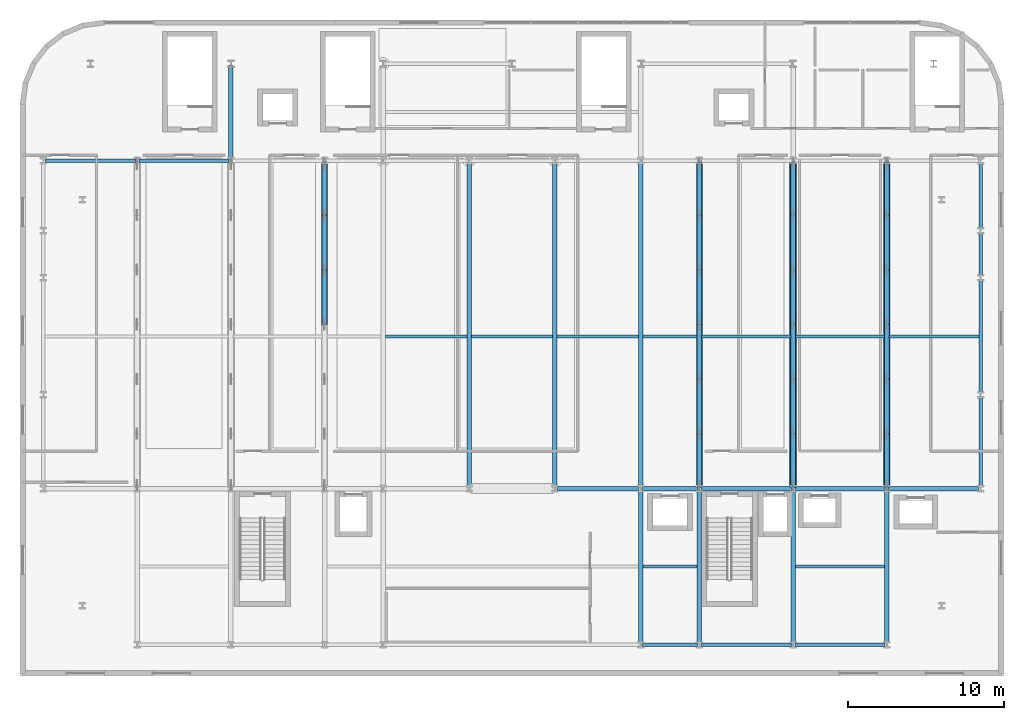
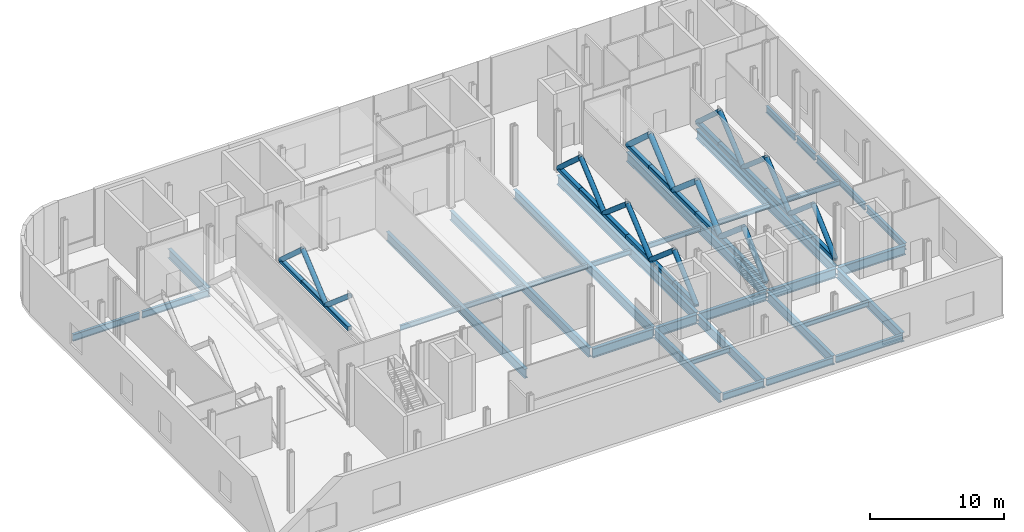
# One storey, part 2 of 17: 42 members, 34 beams.
"""IFC4 building model written with IfcOpenShell, lengths in metres."""

from ifc_helpers import new_model, si_unit, direction, frame, origin, origin_2d, place, context, subcontext, project, spatial, hollow_rectangle, hollow_circle, i_section, extrude, material, material_profile, profile_set, type_object, element, save


model = new_model("IFC4")

# Units and contexts
model_context = context("Model", 3, precision=1e-05, world=origin(), true_north=direction((0.0, 1.0)))
body_context = subcontext(model_context, "Body", "Model", "MODEL_VIEW")
ifc_project = project(units=[si_unit("LENGTHUNIT", "METRE"), si_unit("AREAUNIT", "SQUARE_METRE"), si_unit("VOLUMEUNIT", "CUBIC_METRE"), si_unit("PLANEANGLEUNIT", "RADIAN"), si_unit("MASSUNIT", "GRAM", prefix="KILO")], contexts=[model_context])

# Site, building, storey
site_placement = place(None, origin())
site = spatial("IfcSite", under=ifc_project, at=site_placement, CompositionType="ELEMENT")
building_placement = place(site_placement, origin())
building = spatial("IfcBuilding", under=site, at=building_placement, Name="Brevholm Reach", CompositionType="ELEMENT")
storey_placement = place(building_placement, frame((0.0, 0.0, 22.5)))
storey = spatial("IfcBuildingStorey", under=building, at=storey_placement, Name="L05", CompositionType="ELEMENT", Elevation=22.5)

# Beams
ifc_material_1 = material(Name="Structural Steel S355J2", Category="steel")
ifc_material_profile_1 = material_profile(ifc_material_1, i_section(OverallWidth=0.1904296875, OverallDepth=0.45703125, WebThickness=0.009033203125, FlangeThickness=0.014404296875, FilletRadius=0.01025390625, at=origin_2d()), Name="UKB 457x191x74")
ifc_profile_set_1 = profile_set([ifc_material_profile_1], Name="Structural Steel S355J2")
beam_type_1 = type_object("IfcBeamType", Name="BM-B457", PredefinedType="BEAM", material=ifc_profile_set_1)
beam_1_placement = place(storey_placement, frame((38.39697265625, 5.0, -0.508544921875), z_axis=(1.0, 0.0, 0.0), x_axis=(0.0, 1.0, 0.0)))
element("IfcBeam", 1, at=beam_1_placement, inside=storey, type_object=beam_type_1, Name="L05 Composite Secondary Floor Beam", PredefinedType="BEAM", context=body_context, shape_type="SweptSolid", body=[
    extrude(i_section(OverallWidth=0.1904296875, OverallDepth=0.45703125, WebThickness=0.009033203125, FlangeThickness=0.014404296875, FilletRadius=0.01025390625, at=origin_2d()), origin(), (0.0, 0.0, 1.0), 3.4560546875),
])
beam_2_placement = place(storey_placement, frame((48.14697265625, 5.0, -0.508544921875), z_axis=(1.0, 0.0, 0.0), x_axis=(0.0, 1.0, 0.0)))
element("IfcBeam", 2, at=beam_2_placement, inside=storey, type_object=beam_type_1, Name="L05 Composite Secondary Floor Beam", PredefinedType="BEAM", context=body_context, shape_type="SweptSolid", body=[
    extrude(i_section(OverallWidth=0.1904296875, OverallDepth=0.45703125, WebThickness=0.009033203125, FlangeThickness=0.014404296875, FilletRadius=0.01025390625, at=origin_2d()), origin(), (0.0, 0.0, 1.0), 5.7060546875),
])
for number, where, z_axis, x_axis, name in (
    (3, (21.89697265625, 19.75, -0.508544921875), (1.0, 0.0, 0.0), (0.0, 1.0, 0.0), "L05 Composite Secondary Floor Beam"),
    (4, (27.39697265625, 19.75, -0.508544921875), (1.0, 0.0, 0.0), (0.0, 1.0, 0.0), "L05 Composite Secondary Floor Beam"),
    (5, (32.89697265625, 19.75, -0.508544921875), (1.0, 0.0, 0.0), (0.0, 1.0, 0.0), "L05 Composite Secondary Floor Beam"),
):
    element("IfcBeam", number, at=place(storey_placement, frame(where, z_axis=z_axis, x_axis=x_axis)), inside=storey, type_object=beam_type_1, Name=name, PredefinedType="BEAM", context=body_context, shape_type="SweptSolid", body=[
        extrude(i_section(OverallWidth=0.1904296875, OverallDepth=0.45703125, WebThickness=0.009033203125, FlangeThickness=0.014404296875, FilletRadius=0.01025390625, at=origin_2d()), origin(), (0.0, 0.0, 1.0), 5.2060546875),
    ])
beam_3_placement = place(storey_placement, frame((38.39697265625, 19.75, -0.508544921875), z_axis=(1.0, 0.0, 0.0), x_axis=(0.0, 1.0, 0.0)))
element("IfcBeam", 6, at=beam_3_placement, inside=storey, type_object=beam_type_1, Name="L05 Composite Secondary Floor Beam", PredefinedType="BEAM", context=body_context, shape_type="SweptSolid", body=[
    extrude(i_section(OverallWidth=0.1904296875, OverallDepth=0.45703125, WebThickness=0.009033203125, FlangeThickness=0.014404296875, FilletRadius=0.01025390625, at=origin_2d()), origin(), (0.0, 0.0, 1.0), 3.4560546875),
])
for number, where, z_axis, x_axis, name in (
    (7, (42.14697265625, 19.75, -0.508544921875), (1.0, 0.0, 0.0), (0.0, 1.0, 0.0), "L05 Composite Secondary Floor Beam"),
    (8, (48.14697265625, 19.75, -0.508544921875), (1.0, 0.0, 0.0), (0.0, 1.0, 0.0), "L05 Composite Secondary Floor Beam"),
):
    element("IfcBeam", number, at=place(storey_placement, frame(where, z_axis=z_axis, x_axis=x_axis)), inside=storey, type_object=beam_type_1, Name=name, PredefinedType="BEAM", context=body_context, shape_type="SweptSolid", body=[
        extrude(i_section(OverallWidth=0.1904296875, OverallDepth=0.45703125, WebThickness=0.009033203125, FlangeThickness=0.014404296875, FilletRadius=0.01025390625, at=origin_2d()), origin(), (0.0, 0.0, 1.0), 5.7060546875),
    ])
beam_4_placement = place(storey_placement, frame((54.14697265625, 19.75, -0.508544921875), z_axis=(1.0, 0.0, 0.0), x_axis=(0.0, 1.0, 0.0)))
element("IfcBeam", 9, at=beam_4_placement, inside=storey, type_object=beam_type_1, Name="L05 Composite Secondary Floor Beam", PredefinedType="BEAM", context=body_context, shape_type="SweptSolid", body=[
    extrude(i_section(OverallWidth=0.1904296875, OverallDepth=0.45703125, WebThickness=0.009033203125, FlangeThickness=0.014404296875, FilletRadius=0.01025390625, at=origin_2d()), origin(), (0.0, 0.0, 1.0), 5.738525390625),
])
ifc_material_2 = material(Name="Structural Steel S355J2", Category="steel")
ifc_material_profile_2 = material_profile(ifc_material_2, i_section(OverallWidth=0.22900390625, OverallDepth=0.6123046875, WebThickness=0.011962890625, FlangeThickness=0.01953125, FilletRadius=0.0126953125, at=origin_2d()), Name="UKB 610x229x125")
ifc_profile_set_2 = profile_set([ifc_material_profile_2], Name="Structural Steel S355J2")
beam_type_2 = type_object("IfcBeamType", Name="BM-SP610", PredefinedType="SPANDREL", material=ifc_profile_set_2)
beam_5_placement = place(storey_placement, frame((38.3701171875, 0.0, -0.586181640625), z_axis=(1.0, 0.0, 0.0), x_axis=(0.0, 1.0, 0.0)))
element("IfcBeam", 10, at=beam_5_placement, inside=storey, type_object=beam_type_2, Name="L05 SP-01 Framing Beam", PredefinedType="SPANDREL", context=body_context, shape_type="SweptSolid", body=[
    extrude(i_section(OverallWidth=0.22900390625, OverallDepth=0.6123046875, WebThickness=0.011962890625, FlangeThickness=0.01953125, FilletRadius=0.0126953125, at=origin_2d()), origin(), (0.0, 0.0, 1.0), 3.509765625),
])
for number, where, z_axis, x_axis, name in (
    (11, (42.1201171875, 0.0, -0.586181640625), (1.0, 0.0, 0.0), (0.0, 1.0, 0.0), "L05 SP-01 Framing Beam"),
    (12, (48.1201171875, 0.0, -0.586181640625), (1.0, 0.0, 0.0), (0.0, 1.0, 0.0), "L05 SP-01 Framing Beam"),
    (13, (0.1201171875, 31.0, -0.586181640625), (1.0, 0.0, 0.0), (0.0, 1.0, 0.0), "L05 SP-01 Framing Beam"),
    (14, (6.1201171875, 31.0, -0.586181640625), (1.0, 0.0, 0.0), (0.0, 1.0, 0.0), "L05 SP-01 Framing Beam"),
    (15, (60.0, 10.1201171875, -0.586181640625), (0.0, 1.0, 0.0), (-1.0, 0.0, 0.0), "L05 SP-01 Framing Beam"),
):
    element("IfcBeam", number, at=place(storey_placement, frame(where, z_axis=z_axis, x_axis=x_axis)), inside=storey, type_object=beam_type_2, Name=name, PredefinedType="SPANDREL", context=body_context, shape_type="SweptSolid", body=[
        extrude(i_section(OverallWidth=0.22900390625, OverallDepth=0.6123046875, WebThickness=0.011962890625, FlangeThickness=0.01953125, FilletRadius=0.0126953125, at=origin_2d()), origin(), (0.0, 0.0, 1.0), 5.759765625),
    ])
beam_6_placement = place(storey_placement, frame((60.0, 16.1201171875, -0.586181640625), z_axis=(0.0, 1.0, 0.0), x_axis=(-1.0, 0.0, 0.0)))
element("IfcBeam", 16, at=beam_6_placement, inside=storey, type_object=beam_type_2, Name="L05 SP-01 Framing Beam", PredefinedType="SPANDREL", context=body_context, shape_type="SweptSolid", body=[
    extrude(i_section(OverallWidth=0.22900390625, OverallDepth=0.6123046875, WebThickness=0.011962890625, FlangeThickness=0.01953125, FilletRadius=0.0126953125, at=origin_2d()), origin(), (0.0, 0.0, 1.0), 7.259765625),
])
beam_7_placement = place(storey_placement, frame((60.0, 23.6201171875, -0.586181640625), z_axis=(0.0, 1.0, 0.0), x_axis=(-1.0, 0.0, 0.0)))
element("IfcBeam", 17, at=beam_7_placement, inside=storey, type_object=beam_type_2, Name="L05 SP-01 Framing Beam", PredefinedType="SPANDREL", context=body_context, shape_type="SweptSolid", body=[
    extrude(i_section(OverallWidth=0.22900390625, OverallDepth=0.6123046875, WebThickness=0.011962890625, FlangeThickness=0.01953125, FilletRadius=0.0126953125, at=origin_2d()), origin(), (0.0, 0.0, 1.0), 2.759765625),
])
beam_8_placement = place(storey_placement, frame((60.0, 26.6201171875, -0.586181640625), z_axis=(0.0, 1.0, 0.0), x_axis=(-1.0, 0.0, 0.0)))
element("IfcBeam", 18, at=beam_8_placement, inside=storey, type_object=beam_type_2, Name="L05 SP-01 Framing Beam", PredefinedType="SPANDREL", context=body_context, shape_type="SweptSolid", body=[
    extrude(i_section(OverallWidth=0.22900390625, OverallDepth=0.6123046875, WebThickness=0.011962890625, FlangeThickness=0.01953125, FilletRadius=0.0126953125, at=origin_2d()), origin(), (0.0, 0.0, 1.0), 4.259765625),
])
ifc_material_3 = material(Name="Structural Steel S355J2", Category="steel")
ifc_material_profile_3 = material_profile(ifc_material_3, i_section(OverallWidth=0.293701171875, OverallDepth=0.850830078125, WebThickness=0.01611328125, FlangeThickness=0.02685546875, FilletRadius=0.017822265625, at=origin_2d()), Name="UKB 838x292x226")
ifc_profile_set_3 = profile_set([ifc_material_profile_3], Name="Structural Steel S355J2")
beam_type_3 = type_object("IfcBeamType", Name="BM-UKB838", PredefinedType="USERDEFINED", material=ifc_profile_set_3)
beam_9_placement = place(storey_placement, frame((32.8701171875, 10.0, -0.70556640625), z_axis=(1.0, 0.0, 0.0), x_axis=(0.0, 1.0, 0.0)))
element("IfcBeam", 19, at=beam_9_placement, inside=storey, type_object=beam_type_3, Name="L05 G-03 Framing Beam", ObjectType="GIRDER", PredefinedType="USERDEFINED", context=body_context, shape_type="SweptSolid", body=[
    extrude(i_section(OverallWidth=0.293701171875, OverallDepth=0.850830078125, WebThickness=0.01611328125, FlangeThickness=0.02685546875, FilletRadius=0.017822265625, at=origin_2d()), origin(), (0.0, 0.0, 1.0), 5.259765625),
])
beam_10_placement = place(storey_placement, frame((38.3701171875, 10.0, -0.70556640625), z_axis=(1.0, 0.0, 0.0), x_axis=(0.0, 1.0, 0.0)))
element("IfcBeam", 20, at=beam_10_placement, inside=storey, type_object=beam_type_3, Name="L05 G-03 Framing Beam", ObjectType="GIRDER", PredefinedType="USERDEFINED", context=body_context, shape_type="SweptSolid", body=[
    extrude(i_section(OverallWidth=0.293701171875, OverallDepth=0.850830078125, WebThickness=0.01611328125, FlangeThickness=0.02685546875, FilletRadius=0.017822265625, at=origin_2d()), origin(), (0.0, 0.0, 1.0), 3.509765625),
])
for number, where, z_axis, x_axis, name in (
    (21, (42.1201171875, 10.0, -0.70556640625), (1.0, 0.0, 0.0), (0.0, 1.0, 0.0), "L05 G-03 Framing Beam"),
    (22, (48.1201171875, 10.0, -0.70556640625), (1.0, 0.0, 0.0), (0.0, 1.0, 0.0), "L05 G-03 Framing Beam"),
    (23, (54.1201171875, 10.0, -0.70556640625), (1.0, 0.0, 0.0), (0.0, 1.0, 0.0), "L05 G-03 Framing Beam"),
):
    element("IfcBeam", number, at=place(storey_placement, frame(where, z_axis=z_axis, x_axis=x_axis)), inside=storey, type_object=beam_type_3, Name=name, ObjectType="GIRDER", PredefinedType="USERDEFINED", context=body_context, shape_type="SweptSolid", body=[
        extrude(i_section(OverallWidth=0.293701171875, OverallDepth=0.850830078125, WebThickness=0.01611328125, FlangeThickness=0.02685546875, FilletRadius=0.017822265625, at=origin_2d()), origin(), (0.0, 0.0, 1.0), 5.759765625),
    ])
beam_11_placement = place(storey_placement, frame((12.0, 31.1201171875, -0.70556640625), z_axis=(0.0, 1.0, 0.0), x_axis=(-1.0, 0.0, 0.0)))
element("IfcBeam", 24, at=beam_11_placement, inside=storey, type_object=beam_type_3, Name="L05 G-03 Framing Beam", ObjectType="GIRDER", PredefinedType="USERDEFINED", context=body_context, shape_type="SweptSolid", body=[
    extrude(i_section(OverallWidth=0.293701171875, OverallDepth=0.850830078125, WebThickness=0.01611328125, FlangeThickness=0.02685546875, FilletRadius=0.017822265625, at=origin_2d()), origin(), (0.0, 0.0, 1.0), 5.9599609375),
])
for number, where, z_axis, x_axis, name in (
    (25, (27.25, 10.1201171875, -0.70556640625), (0.0, 1.0, 0.0), (-1.0, 0.0, 0.0), "L05 G-03 Framing Beam"),
    (26, (32.75, 10.1201171875, -0.70556640625), (0.0, 1.0, 0.0), (-1.0, 0.0, 0.0), "L05 G-03 Framing Beam"),
):
    element("IfcBeam", number, at=place(storey_placement, frame(where, z_axis=z_axis, x_axis=x_axis)), inside=storey, type_object=beam_type_3, Name=name, ObjectType="GIRDER", PredefinedType="USERDEFINED", context=body_context, shape_type="SweptSolid", body=[
        extrude(i_section(OverallWidth=0.293701171875, OverallDepth=0.850830078125, WebThickness=0.01611328125, FlangeThickness=0.02685546875, FilletRadius=0.017822265625, at=origin_2d()), origin(), (0.0, 0.0, 1.0), 20.759765625),
    ])
beam_12_placement = place(storey_placement, frame((38.25, 0.1201171875, -0.70556640625), z_axis=(0.0, 1.0, 0.0), x_axis=(-1.0, 0.0, 0.0)))
element("IfcBeam", 27, at=beam_12_placement, inside=storey, type_object=beam_type_3, Name="L05 G-03 Framing Beam", ObjectType="GIRDER", PredefinedType="USERDEFINED", context=body_context, shape_type="SweptSolid", body=[
    extrude(i_section(OverallWidth=0.293701171875, OverallDepth=0.850830078125, WebThickness=0.01611328125, FlangeThickness=0.02685546875, FilletRadius=0.017822265625, at=origin_2d()), origin(), (0.0, 0.0, 1.0), 9.759765625),
])
beam_13_placement = place(storey_placement, frame((38.25, 10.1201171875, -0.70556640625), z_axis=(0.0, 1.0, 0.0), x_axis=(-1.0, 0.0, 0.0)))
element("IfcBeam", 28, at=beam_13_placement, inside=storey, type_object=beam_type_3, Name="L05 G-03 Framing Beam", ObjectType="GIRDER", PredefinedType="USERDEFINED", context=body_context, shape_type="SweptSolid", body=[
    extrude(i_section(OverallWidth=0.293701171875, OverallDepth=0.850830078125, WebThickness=0.01611328125, FlangeThickness=0.02685546875, FilletRadius=0.017822265625, at=origin_2d()), origin(), (0.0, 0.0, 1.0), 20.759765625),
])
beam_14_placement = place(storey_placement, frame((42.0, 0.1201171875, -0.70556640625), z_axis=(0.0, 1.0, 0.0), x_axis=(-1.0, 0.0, 0.0)))
element("IfcBeam", 29, at=beam_14_placement, inside=storey, type_object=beam_type_3, Name="L05 G-03 Framing Beam", ObjectType="GIRDER", PredefinedType="USERDEFINED", context=body_context, shape_type="SweptSolid", body=[
    extrude(i_section(OverallWidth=0.293701171875, OverallDepth=0.850830078125, WebThickness=0.01611328125, FlangeThickness=0.02685546875, FilletRadius=0.017822265625, at=origin_2d()), origin(), (0.0, 0.0, 1.0), 9.759765625),
])
beam_15_placement = place(storey_placement, frame((42.0, 10.1201171875, -0.70556640625), z_axis=(0.0, 1.0, 0.0), x_axis=(-1.0, 0.0, 0.0)))
element("IfcBeam", 30, at=beam_15_placement, inside=storey, type_object=beam_type_3, Name="L05 G-03 Framing Beam", ObjectType="GIRDER", PredefinedType="USERDEFINED", context=body_context, shape_type="SweptSolid", body=[
    extrude(i_section(OverallWidth=0.293701171875, OverallDepth=0.850830078125, WebThickness=0.01611328125, FlangeThickness=0.02685546875, FilletRadius=0.017822265625, at=origin_2d()), origin(), (0.0, 0.0, 1.0), 20.759765625),
])
beam_16_placement = place(storey_placement, frame((48.0, 0.1201171875, -0.70556640625), z_axis=(0.0, 1.0, 0.0), x_axis=(-1.0, 0.0, 0.0)))
element("IfcBeam", 31, at=beam_16_placement, inside=storey, type_object=beam_type_3, Name="L05 G-03 Framing Beam", ObjectType="GIRDER", PredefinedType="USERDEFINED", context=body_context, shape_type="SweptSolid", body=[
    extrude(i_section(OverallWidth=0.293701171875, OverallDepth=0.850830078125, WebThickness=0.01611328125, FlangeThickness=0.02685546875, FilletRadius=0.017822265625, at=origin_2d()), origin(), (0.0, 0.0, 1.0), 9.759765625),
])
beam_17_placement = place(storey_placement, frame((48.0, 10.1201171875, -0.70556640625), z_axis=(0.0, 1.0, 0.0), x_axis=(-1.0, 0.0, 0.0)))
element("IfcBeam", 32, at=beam_17_placement, inside=storey, type_object=beam_type_3, Name="L05 G-03 Framing Beam", ObjectType="GIRDER", PredefinedType="USERDEFINED", context=body_context, shape_type="SweptSolid", body=[
    extrude(i_section(OverallWidth=0.293701171875, OverallDepth=0.850830078125, WebThickness=0.01611328125, FlangeThickness=0.02685546875, FilletRadius=0.017822265625, at=origin_2d()), origin(), (0.0, 0.0, 1.0), 20.759765625),
])
beam_18_placement = place(storey_placement, frame((54.0, 0.1201171875, -0.70556640625), z_axis=(0.0, 1.0, 0.0), x_axis=(-1.0, 0.0, 0.0)))
element("IfcBeam", 33, at=beam_18_placement, inside=storey, type_object=beam_type_3, Name="L05 G-03 Framing Beam", ObjectType="GIRDER", PredefinedType="USERDEFINED", context=body_context, shape_type="SweptSolid", body=[
    extrude(i_section(OverallWidth=0.293701171875, OverallDepth=0.850830078125, WebThickness=0.01611328125, FlangeThickness=0.02685546875, FilletRadius=0.017822265625, at=origin_2d()), origin(), (0.0, 0.0, 1.0), 9.759765625),
])
beam_19_placement = place(storey_placement, frame((54.0, 10.1201171875, -0.70556640625), z_axis=(0.0, 1.0, 0.0), x_axis=(-1.0, 0.0, 0.0)))
element("IfcBeam", 34, at=beam_19_placement, inside=storey, type_object=beam_type_3, Name="L05 G-03 Framing Beam", ObjectType="GIRDER", PredefinedType="USERDEFINED", context=body_context, shape_type="SweptSolid", body=[
    extrude(i_section(OverallWidth=0.293701171875, OverallDepth=0.850830078125, WebThickness=0.01611328125, FlangeThickness=0.02685546875, FilletRadius=0.017822265625, at=origin_2d()), origin(), (0.0, 0.0, 1.0), 20.759765625),
])

# Members
ifc_material_4 = material(Name="Structural Steel S460NH", Category="steel")
ifc_material_profile_4 = material_profile(ifc_material_4, hollow_circle(Radius=0.203125, WallThickness=0.01611328125, at=origin_2d()), Name="CHS 406.4x16")
ifc_profile_set_4 = profile_set([ifc_material_profile_4], Name="Structural Steel S460NH")
member_type_1 = type_object("IfcMemberType", Name="MEM-TB-CHS406", PredefinedType="BRACE", material=ifc_profile_set_4)
for number, where, z_axis, x_axis, name in (
    (35, (18.0, 20.5, 3.340087890625), (0.0, 0.760330022916, -0.649536955263), (-1.0, 0.0, 0.0), "L05 Transfer Truss Diagonal X18.4"),
    (36, (18.0, 24.0, 0.35009765625), (0.0, 0.760330022916, 0.649536955263), (-1.0, 0.0, 0.0), "L05 Transfer Truss Diagonal X18.5"),
):
    element("IfcMember", number, at=place(storey_placement, frame(where, z_axis=z_axis, x_axis=x_axis)), inside=storey, type_object=member_type_1, Name=name, PredefinedType="BRACE", context=body_context, shape_type="SweptSolid", body=[
        extrude(hollow_circle(Radius=0.203125, WallThickness=0.01611328125, at=origin_2d()), origin(), (0.0, 0.0, 1.0), 4.603271484375),
    ])
for number, where, z_axis, x_axis, name in (
    (37, (18.0, 27.5, 3.340087890625), (0.0, 0.74307946371, -0.669203190827), (-1.0, 0.0, 0.0), "L05 Transfer Truss Diagonal X18.6"),
    (38, (42.0, 10.179931640625, 0.35009765625), (0.0, 0.74307946371, 0.669203190827), (-1.0, 0.0, 0.0), "L05 Transfer Truss Diagonal X42.1"),
):
    element("IfcMember", number, at=place(storey_placement, frame(where, z_axis=z_axis, x_axis=x_axis)), inside=storey, type_object=member_type_1, Name=name, PredefinedType="BRACE", context=body_context, shape_type="SweptSolid", body=[
        extrude(hollow_circle(Radius=0.203125, WallThickness=0.01611328125, at=origin_2d()), origin(), (0.0, 0.0, 1.0), 4.468017578125),
    ])
for number, where, z_axis, x_axis, name in (
    (39, (42.0, 13.5, 3.340087890625), (0.0, 0.760330022916, -0.649536955263), (-1.0, 0.0, 0.0), "L05 Transfer Truss Diagonal X42.2"),
    (40, (42.0, 17.0, 0.35009765625), (0.0, 0.760330022916, 0.649536955263), (-1.0, 0.0, 0.0), "L05 Transfer Truss Diagonal X42.3"),
    (41, (42.0, 20.5, 3.340087890625), (0.0, 0.760330022916, -0.649536955263), (-1.0, 0.0, 0.0), "L05 Transfer Truss Diagonal X42.4"),
    (42, (42.0, 24.0, 0.35009765625), (0.0, 0.760330022916, 0.649536955263), (-1.0, 0.0, 0.0), "L05 Transfer Truss Diagonal X42.5"),
):
    element("IfcMember", number, at=place(storey_placement, frame(where, z_axis=z_axis, x_axis=x_axis)), inside=storey, type_object=member_type_1, Name=name, PredefinedType="BRACE", context=body_context, shape_type="SweptSolid", body=[
        extrude(hollow_circle(Radius=0.203125, WallThickness=0.01611328125, at=origin_2d()), origin(), (0.0, 0.0, 1.0), 4.603271484375),
    ])
for number, where, z_axis, x_axis, name in (
    (43, (42.0, 27.5, 3.340087890625), (0.0, 0.74307946371, -0.669203190827), (-1.0, 0.0, 0.0), "L05 Transfer Truss Diagonal X42.6"),
    (44, (54.0, 10.179931640625, 0.35009765625), (0.0, 0.74307946371, 0.669203190827), (-1.0, 0.0, 0.0), "L05 Transfer Truss Diagonal X54.1"),
):
    element("IfcMember", number, at=place(storey_placement, frame(where, z_axis=z_axis, x_axis=x_axis)), inside=storey, type_object=member_type_1, Name=name, PredefinedType="BRACE", context=body_context, shape_type="SweptSolid", body=[
        extrude(hollow_circle(Radius=0.203125, WallThickness=0.01611328125, at=origin_2d()), origin(), (0.0, 0.0, 1.0), 4.468017578125),
    ])
for number, where, z_axis, x_axis, name in (
    (45, (54.0, 13.5, 3.340087890625), (0.0, 0.760330022916, -0.649536955263), (-1.0, 0.0, 0.0), "L05 Transfer Truss Diagonal X54.2"),
    (46, (54.0, 17.0, 0.35009765625), (0.0, 0.760330022916, 0.649536955263), (-1.0, 0.0, 0.0), "L05 Transfer Truss Diagonal X54.3"),
    (47, (54.0, 20.5, 3.340087890625), (0.0, 0.760330022916, -0.649536955263), (-1.0, 0.0, 0.0), "L05 Transfer Truss Diagonal X54.4"),
    (48, (54.0, 24.0, 0.35009765625), (0.0, 0.760330022916, 0.649536955263), (-1.0, 0.0, 0.0), "L05 Transfer Truss Diagonal X54.5"),
):
    element("IfcMember", number, at=place(storey_placement, frame(where, z_axis=z_axis, x_axis=x_axis)), inside=storey, type_object=member_type_1, Name=name, PredefinedType="BRACE", context=body_context, shape_type="SweptSolid", body=[
        extrude(hollow_circle(Radius=0.203125, WallThickness=0.01611328125, at=origin_2d()), origin(), (0.0, 0.0, 1.0), 4.603271484375),
    ])
member_1_placement = place(storey_placement, frame((54.0, 27.5, 3.340087890625), z_axis=(0.0, 0.74307946371, -0.669203190827), x_axis=(-1.0, 0.0, 0.0)))
element("IfcMember", 49, at=member_1_placement, inside=storey, type_object=member_type_1, Name="L05 Transfer Truss Diagonal X54.6", PredefinedType="BRACE", context=body_context, shape_type="SweptSolid", body=[
    extrude(hollow_circle(Radius=0.203125, WallThickness=0.01611328125, at=origin_2d()), origin(), (0.0, 0.0, 1.0), 4.468017578125),
])
ifc_material_5 = material(Name="Structural Steel S460NH", Category="steel")
ifc_material_profile_5 = material_profile(ifc_material_5, hollow_circle(Radius=0.228515625, WallThickness=0.02001953125, at=origin_2d()), Name="CHS 457x20")
ifc_profile_set_5 = profile_set([ifc_material_profile_5], Name="Structural Steel S460NH")
member_type_2 = type_object("IfcMemberType", Name="MEM-TB-CHS457", PredefinedType="BRACE", material=ifc_profile_set_5)
member_2_placement = place(storey_placement, frame((48.0, 10.179931640625, 0.35009765625), z_axis=(0.0, 0.74307946371, 0.669203190827), x_axis=(-1.0, 0.0, 0.0)))
element("IfcMember", 50, at=member_2_placement, inside=storey, type_object=member_type_2, Name="L05 Transfer Truss Diagonal X48.1", PredefinedType="BRACE", context=body_context, shape_type="SweptSolid", body=[
    extrude(hollow_circle(Radius=0.228515625, WallThickness=0.02001953125, at=origin_2d()), origin(), (0.0, 0.0, 1.0), 4.468017578125),
])
for number, where, z_axis, x_axis, name in (
    (51, (48.0, 13.5, 3.340087890625), (0.0, 0.760330022916, -0.649536955263), (-1.0, 0.0, 0.0), "L05 Transfer Truss Diagonal X48.2"),
    (52, (48.0, 17.0, 0.35009765625), (0.0, 0.760330022916, 0.649536955263), (-1.0, 0.0, 0.0), "L05 Transfer Truss Diagonal X48.3"),
    (53, (48.0, 20.5, 3.340087890625), (0.0, 0.760330022916, -0.649536955263), (-1.0, 0.0, 0.0), "L05 Transfer Truss Diagonal X48.4"),
    (54, (48.0, 24.0, 0.35009765625), (0.0, 0.760330022916, 0.649536955263), (-1.0, 0.0, 0.0), "L05 Transfer Truss Diagonal X48.5"),
):
    element("IfcMember", number, at=place(storey_placement, frame(where, z_axis=z_axis, x_axis=x_axis)), inside=storey, type_object=member_type_2, Name=name, PredefinedType="BRACE", context=body_context, shape_type="SweptSolid", body=[
        extrude(hollow_circle(Radius=0.228515625, WallThickness=0.02001953125, at=origin_2d()), origin(), (0.0, 0.0, 1.0), 4.603271484375),
    ])
member_3_placement = place(storey_placement, frame((48.0, 27.5, 3.340087890625), z_axis=(0.0, 0.74307946371, -0.669203190827), x_axis=(-1.0, 0.0, 0.0)))
element("IfcMember", 55, at=member_3_placement, inside=storey, type_object=member_type_2, Name="L05 Transfer Truss Diagonal X48.6", PredefinedType="BRACE", context=body_context, shape_type="SweptSolid", body=[
    extrude(hollow_circle(Radius=0.228515625, WallThickness=0.02001953125, at=origin_2d()), origin(), (0.0, 0.0, 1.0), 4.468017578125),
])
ifc_material_6 = material(Name="Structural Steel S460NH", Category="steel")
ifc_material_profile_6 = material_profile(ifc_material_6, hollow_rectangle(XDim=0.35009765625, YDim=0.35009765625, WallThickness=0.01611328125, InnerFilletRadius=0.011962890625, OuterFilletRadius=0.02392578125, at=origin_2d()), Name="SHS 350x350x16")
ifc_profile_set_6 = profile_set([ifc_material_profile_6], Name="Structural Steel S460NH")
member_type_3 = type_object("IfcMemberType", Name="MEM-TC-SHS350", PredefinedType="CHORD", material=ifc_profile_set_6)
for number, where, z_axis, x_axis, name in (
    (56, (18.0, 20.5, 0.35009765625), (0.0, 1.0, 0.0), (-1.0, 0.0, 0.0), "L05 Transfer Truss Bottom Chord X18.4"),
    (57, (18.0, 24.0, 0.35009765625), (0.0, 1.0, 0.0), (-1.0, 0.0, 0.0), "L05 Transfer Truss Bottom Chord X18.5"),
):
    element("IfcMember", number, at=place(storey_placement, frame(where, z_axis=z_axis, x_axis=x_axis)), inside=storey, type_object=member_type_3, Name=name, PredefinedType="CHORD", context=body_context, shape_type="SweptSolid", body=[
        extrude(hollow_rectangle(XDim=0.35009765625, YDim=0.35009765625, WallThickness=0.01611328125, InnerFilletRadius=0.011962890625, OuterFilletRadius=0.02392578125, at=origin_2d()), origin(), (0.0, 0.0, 1.0), 3.5),
    ])
for number, where, z_axis, x_axis, name in (
    (58, (18.0, 27.5, 0.35009765625), (0.0, 1.0, 0.0), (-1.0, 0.0, 0.0), "L05 Transfer Truss Bottom Chord X18.6"),
    (59, (42.0, 10.179931640625, 0.35009765625), (0.0, 1.0, 0.0), (-1.0, 0.0, 0.0), "L05 Transfer Truss Bottom Chord X42.1"),
):
    element("IfcMember", number, at=place(storey_placement, frame(where, z_axis=z_axis, x_axis=x_axis)), inside=storey, type_object=member_type_3, Name=name, PredefinedType="CHORD", context=body_context, shape_type="SweptSolid", body=[
        extrude(hollow_rectangle(XDim=0.35009765625, YDim=0.35009765625, WallThickness=0.01611328125, InnerFilletRadius=0.011962890625, OuterFilletRadius=0.02392578125, at=origin_2d()), origin(), (0.0, 0.0, 1.0), 3.320068359375),
    ])
for number, where, z_axis, x_axis, name in (
    (60, (42.0, 13.5, 0.35009765625), (0.0, 1.0, 0.0), (-1.0, 0.0, 0.0), "L05 Transfer Truss Bottom Chord X42.2"),
    (61, (42.0, 17.0, 0.35009765625), (0.0, 1.0, 0.0), (-1.0, 0.0, 0.0), "L05 Transfer Truss Bottom Chord X42.3"),
    (62, (42.0, 20.5, 0.35009765625), (0.0, 1.0, 0.0), (-1.0, 0.0, 0.0), "L05 Transfer Truss Bottom Chord X42.4"),
    (63, (42.0, 24.0, 0.35009765625), (0.0, 1.0, 0.0), (-1.0, 0.0, 0.0), "L05 Transfer Truss Bottom Chord X42.5"),
):
    element("IfcMember", number, at=place(storey_placement, frame(where, z_axis=z_axis, x_axis=x_axis)), inside=storey, type_object=member_type_3, Name=name, PredefinedType="CHORD", context=body_context, shape_type="SweptSolid", body=[
        extrude(hollow_rectangle(XDim=0.35009765625, YDim=0.35009765625, WallThickness=0.01611328125, InnerFilletRadius=0.011962890625, OuterFilletRadius=0.02392578125, at=origin_2d()), origin(), (0.0, 0.0, 1.0), 3.5),
    ])
for number, where, z_axis, x_axis, name in (
    (64, (42.0, 27.5, 0.35009765625), (0.0, 1.0, 0.0), (-1.0, 0.0, 0.0), "L05 Transfer Truss Bottom Chord X42.6"),
    (65, (48.0, 10.179931640625, 0.35009765625), (0.0, 1.0, 0.0), (-1.0, 0.0, 0.0), "L05 Transfer Truss Bottom Chord X48.1"),
):
    element("IfcMember", number, at=place(storey_placement, frame(where, z_axis=z_axis, x_axis=x_axis)), inside=storey, type_object=member_type_3, Name=name, PredefinedType="CHORD", context=body_context, shape_type="SweptSolid", body=[
        extrude(hollow_rectangle(XDim=0.35009765625, YDim=0.35009765625, WallThickness=0.01611328125, InnerFilletRadius=0.011962890625, OuterFilletRadius=0.02392578125, at=origin_2d()), origin(), (0.0, 0.0, 1.0), 3.320068359375),
    ])
for number, where, z_axis, x_axis, name in (
    (66, (48.0, 13.5, 0.35009765625), (0.0, 1.0, 0.0), (-1.0, 0.0, 0.0), "L05 Transfer Truss Bottom Chord X48.2"),
    (67, (48.0, 17.0, 0.35009765625), (0.0, 1.0, 0.0), (-1.0, 0.0, 0.0), "L05 Transfer Truss Bottom Chord X48.3"),
    (68, (48.0, 20.5, 0.35009765625), (0.0, 1.0, 0.0), (-1.0, 0.0, 0.0), "L05 Transfer Truss Bottom Chord X48.4"),
    (69, (48.0, 24.0, 0.35009765625), (0.0, 1.0, 0.0), (-1.0, 0.0, 0.0), "L05 Transfer Truss Bottom Chord X48.5"),
):
    element("IfcMember", number, at=place(storey_placement, frame(where, z_axis=z_axis, x_axis=x_axis)), inside=storey, type_object=member_type_3, Name=name, PredefinedType="CHORD", context=body_context, shape_type="SweptSolid", body=[
        extrude(hollow_rectangle(XDim=0.35009765625, YDim=0.35009765625, WallThickness=0.01611328125, InnerFilletRadius=0.011962890625, OuterFilletRadius=0.02392578125, at=origin_2d()), origin(), (0.0, 0.0, 1.0), 3.5),
    ])
for number, where, z_axis, x_axis, name in (
    (70, (48.0, 27.5, 0.35009765625), (0.0, 1.0, 0.0), (-1.0, 0.0, 0.0), "L05 Transfer Truss Bottom Chord X48.6"),
    (71, (54.0, 10.179931640625, 0.35009765625), (0.0, 1.0, 0.0), (-1.0, 0.0, 0.0), "L05 Transfer Truss Bottom Chord X54.1"),
):
    element("IfcMember", number, at=place(storey_placement, frame(where, z_axis=z_axis, x_axis=x_axis)), inside=storey, type_object=member_type_3, Name=name, PredefinedType="CHORD", context=body_context, shape_type="SweptSolid", body=[
        extrude(hollow_rectangle(XDim=0.35009765625, YDim=0.35009765625, WallThickness=0.01611328125, InnerFilletRadius=0.011962890625, OuterFilletRadius=0.02392578125, at=origin_2d()), origin(), (0.0, 0.0, 1.0), 3.320068359375),
    ])
for number, where, z_axis, x_axis, name in (
    (72, (54.0, 13.5, 0.35009765625), (0.0, 1.0, 0.0), (-1.0, 0.0, 0.0), "L05 Transfer Truss Bottom Chord X54.2"),
    (73, (54.0, 17.0, 0.35009765625), (0.0, 1.0, 0.0), (-1.0, 0.0, 0.0), "L05 Transfer Truss Bottom Chord X54.3"),
    (74, (54.0, 20.5, 0.35009765625), (0.0, 1.0, 0.0), (-1.0, 0.0, 0.0), "L05 Transfer Truss Bottom Chord X54.4"),
    (75, (54.0, 24.0, 0.35009765625), (0.0, 1.0, 0.0), (-1.0, 0.0, 0.0), "L05 Transfer Truss Bottom Chord X54.5"),
):
    element("IfcMember", number, at=place(storey_placement, frame(where, z_axis=z_axis, x_axis=x_axis)), inside=storey, type_object=member_type_3, Name=name, PredefinedType="CHORD", context=body_context, shape_type="SweptSolid", body=[
        extrude(hollow_rectangle(XDim=0.35009765625, YDim=0.35009765625, WallThickness=0.01611328125, InnerFilletRadius=0.011962890625, OuterFilletRadius=0.02392578125, at=origin_2d()), origin(), (0.0, 0.0, 1.0), 3.5),
    ])
member_4_placement = place(storey_placement, frame((54.0, 27.5, 0.35009765625), z_axis=(0.0, 1.0, 0.0), x_axis=(-1.0, 0.0, 0.0)))
element("IfcMember", 76, at=member_4_placement, inside=storey, type_object=member_type_3, Name="L05 Transfer Truss Bottom Chord X54.6", PredefinedType="CHORD", context=body_context, shape_type="SweptSolid", body=[
    extrude(hollow_rectangle(XDim=0.35009765625, YDim=0.35009765625, WallThickness=0.01611328125, InnerFilletRadius=0.011962890625, OuterFilletRadius=0.02392578125, at=origin_2d()), origin(), (0.0, 0.0, 1.0), 3.320068359375),
])

save(model, "model.ifc")
